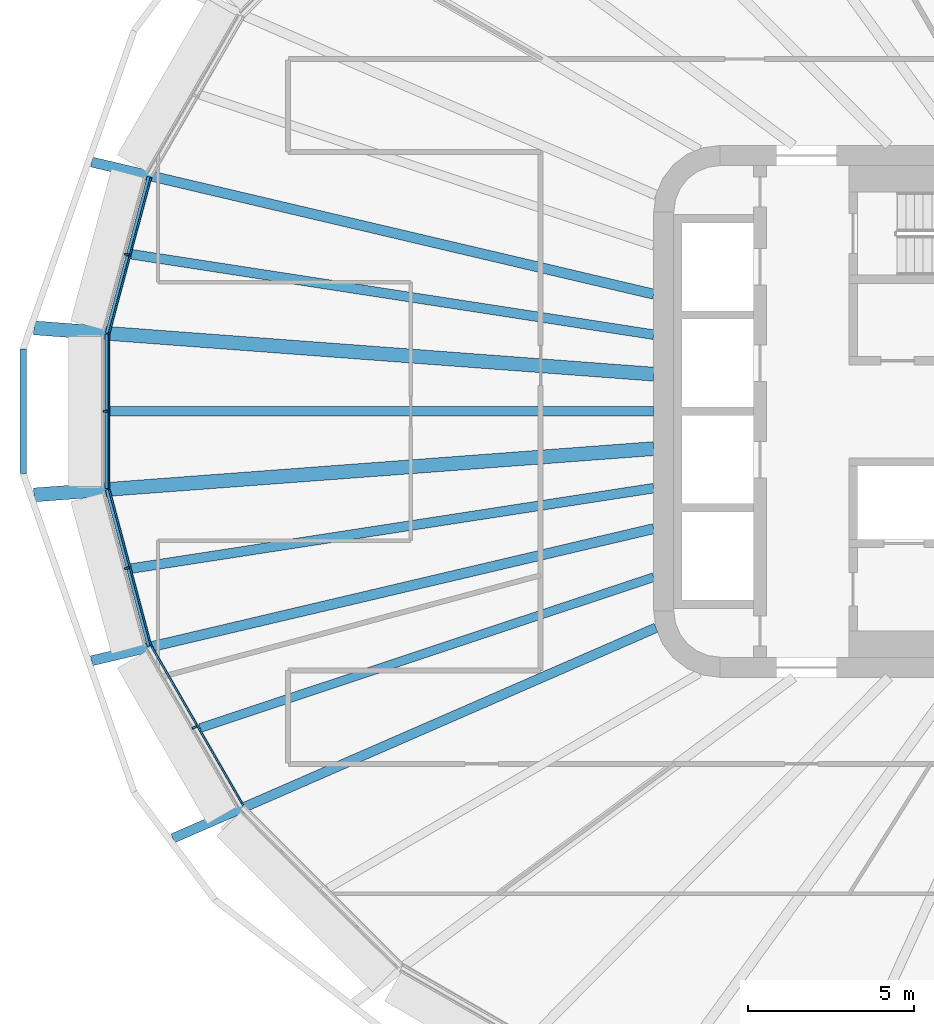
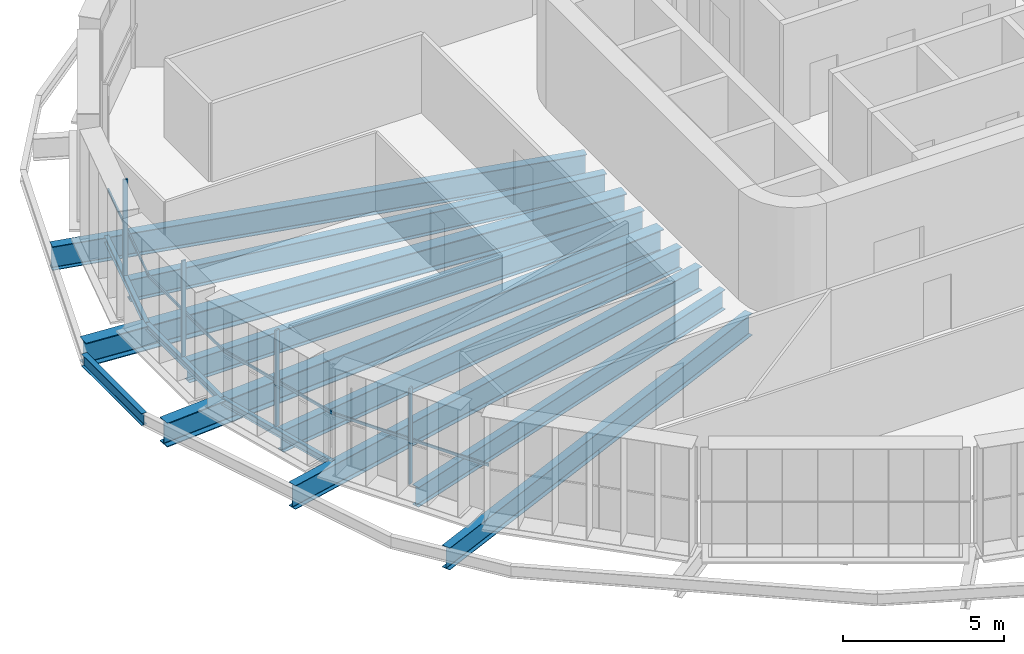
# One storey, part 3 of 25: 13 beams, 8 members, 4 elements without a shape of their own.
"""IFC4 building model written with IfcOpenShell, lengths in metres."""

from ifc_helpers import new_model, si_unit, direction, frame, origin, origin_2d, place, context, subcontext, project, spatial, rectangle, i_section, extrude, material, layer, layer_set, material_profile, profile_set, type_object, element, aggregate, save


model = new_model("IFC4")

# Units and contexts
model_context = context("Model", 3, precision=1e-05, world=origin(), true_north=direction((0.0, 1.0)))
body_context = subcontext(model_context, "Body", "Model", "MODEL_VIEW")
ifc_project = project(units=[si_unit("LENGTHUNIT", "METRE"), si_unit("AREAUNIT", "SQUARE_METRE"), si_unit("VOLUMEUNIT", "CUBIC_METRE"), si_unit("PLANEANGLEUNIT", "RADIAN"), si_unit("MASSUNIT", "GRAM", prefix="KILO")], contexts=[model_context])

# Site, building, storey
site_placement = place(None, origin())
site = spatial("IfcSite", under=ifc_project, at=site_placement, CompositionType="ELEMENT")
building_placement = place(site_placement, origin())
building = spatial("IfcBuilding", under=site, at=building_placement, Name="Sahrelin Media Tower", CompositionType="ELEMENT")
storey_placement = place(building_placement, frame((0.0, 0.0, 144.0)))
storey = spatial("IfcBuildingStorey", under=building, at=storey_placement, Name="L29", CompositionType="ELEMENT", Elevation=144.0)

# Beams
ifc_material_1 = material(Name="Steel S355", Category="steel")
ifc_material_profile_1 = material_profile(ifc_material_1, i_section(OverallWidth=0.14599609375, OverallDepth=0.25146484375, WebThickness=0.006103515625, FlangeThickness=0.008544921875, FilletRadius=0.007568359375, at=origin_2d()), Name="UB 254x146x31")
ifc_profile_set_1 = profile_set([ifc_material_profile_1], Name="Steel S355")
beam_type_1 = type_object("IfcBeamType", Name="Edge beam EB1", PredefinedType="BEAM", material=ifc_profile_set_1)
beam_1_placement = place(storey_placement, frame((-30.165771484375, -7.052001953125, -0.275634765625), z_axis=(-0.258796286999, 0.965931924017, 0.0), x_axis=(-0.965931924017, -0.258796286999, 0.0)))
element("IfcBeam", 1, at=beam_1_placement, inside=storey, type_object=beam_type_1, Name="Edge beam L29-12", PredefinedType="BEAM", context=body_context, shape_type="SweptSolid", body=[
    extrude(i_section(OverallWidth=0.14599609375, OverallDepth=0.25146484375, WebThickness=0.006103515625, FlangeThickness=0.008544921875, FilletRadius=0.007568359375, at=origin_2d()), origin(), (0.0, 0.0, 1.0), 4.864990234375),
])
beam_2_placement = place(storey_placement, frame((-31.4287109375, -2.32421875, -0.275634765625), z_axis=(0.0, 1.0, 0.0), x_axis=(-1.0, 0.0, 0.0)))
element("IfcBeam", 2, at=beam_2_placement, inside=storey, type_object=beam_type_1, Name="Edge beam L29-13", PredefinedType="BEAM", context=body_context, shape_type="SweptSolid", body=[
    extrude(i_section(OverallWidth=0.14599609375, OverallDepth=0.25146484375, WebThickness=0.006103515625, FlangeThickness=0.008544921875, FilletRadius=0.007568359375, at=origin_2d()), origin(), (0.0, 0.0, 1.0), 4.6484375),
])
beam_3_placement = place(storey_placement, frame((-31.4248046875, 2.352783203125, -0.275634765625), z_axis=(0.258796286999, 0.965931924017, 0.0), x_axis=(-0.965931924017, 0.258796286999, 0.0)))
element("IfcBeam", 3, at=beam_3_placement, inside=storey, type_object=beam_type_1, Name="Edge beam L29-14", PredefinedType="BEAM", context=body_context, shape_type="SweptSolid", body=[
    extrude(i_section(OverallWidth=0.14599609375, OverallDepth=0.25146484375, WebThickness=0.006103515625, FlangeThickness=0.008544921875, FilletRadius=0.007568359375, at=origin_2d()), origin(), (0.0, 0.0, 1.0), 4.864990234375),
])

# Curtain wall, member
ifc_material_2 = material(Name="Champagne anodised aluminium 6063-T6", Category="aluminium")
ifc_layer = layer(ifc_material_2, 0.14990234375)
ifc_layer_set = layer_set([ifc_layer], Name="Tower ribbon curtain wall")
curtain_wall_type = type_object("IfcCurtainWallType", Name="Tower ribbon curtain wall", PredefinedType="NOTDEFINED", material=ifc_layer_set)
curtain_wall_1_placement = place(storey_placement, frame((-30.940185546875, 4.7412109375, 0.0), z_axis=(0.0, 0.0, 1.0), x_axis=(1.0, 0.0, 0.0)))
curtain_wall_1 = element("IfcCurtainWall", 4, at=curtain_wall_1_placement, inside=storey, type_object=curtain_wall_type, Name="L29:CW:L29-11", PredefinedType="NOTDEFINED")
ifc_material_profile_2 = material_profile(ifc_material_2, rectangle(XDim=0.06005859375, YDim=0.14990234375, at=origin_2d()), Name="Mullion 60x150")
ifc_profile_set_2 = profile_set([ifc_material_profile_2], Name="Champagne anodised aluminium 6063-T6")
member_type_1 = type_object("IfcMemberType", Name="Mullion 60x150 CW1", PredefinedType="MULLION", material=ifc_profile_set_2)
member_1_placement = place(storey_placement, frame((-30.848388671875, 4.716552734375, 0.0), z_axis=(0.0, 0.0, 1.0), x_axis=(-0.258827474386, -0.96592356763, 0.0)))
member_1 = element("IfcMember", 5, at=member_1_placement, type_object=member_type_1, Name="L29:CWM:L29-11", PredefinedType="MULLION", context=body_context, shape_type="SweptSolid", body=[
    extrude(rectangle(XDim=0.06005859375, YDim=0.14990234375, at=origin_2d()), origin(), (0.0, 0.0, 1.0), 3.648681640625),
])

curtain_wall_2_placement = place(storey_placement, frame((-31.57861328125, 0.0, 0.0), z_axis=(0.0, 0.0, 1.0), x_axis=(1.0, 0.0, 0.0)))
curtain_wall_2 = element("IfcCurtainWall", 6, at=curtain_wall_2_placement, inside=storey, type_object=curtain_wall_type, Name="L29:CW:L29-12", PredefinedType="NOTDEFINED")
member_2_placement = place(storey_placement, frame((-31.483642578125, 0.0, 0.0), z_axis=(0.0, 0.0, 1.0), x_axis=(0.0, -1.0, 0.0)))
member_2 = element("IfcMember", 7, at=member_2_placement, type_object=member_type_1, Name="L29:CWM:L29-12", PredefinedType="MULLION", context=body_context, shape_type="SweptSolid", body=[
    extrude(rectangle(XDim=0.06005859375, YDim=0.14990234375, at=origin_2d()), origin(), (0.0, 0.0, 1.0), 3.648681640625),
])

curtain_wall_3_placement = place(storey_placement, frame((-30.940185546875, -4.7412109375, 0.0), z_axis=(0.0, 0.0, 1.0), x_axis=(1.0, 0.0, 0.0)))
curtain_wall_3 = element("IfcCurtainWall", 8, at=curtain_wall_3_placement, inside=storey, type_object=curtain_wall_type, Name="L29:CW:L29-13", PredefinedType="NOTDEFINED")
member_3_placement = place(storey_placement, frame((-30.848388671875, -4.716552734375, 0.0), z_axis=(0.0, 0.0, 1.0), x_axis=(0.258827474386, -0.96592356763, 0.0)))
member_3 = element("IfcMember", 9, at=member_3_placement, type_object=member_type_1, Name="L29:CWM:L29-13", PredefinedType="MULLION", context=body_context, shape_type="SweptSolid", body=[
    extrude(rectangle(XDim=0.06005859375, YDim=0.14990234375, at=origin_2d()), origin(), (0.0, 0.0, 1.0), 3.648681640625),
])

curtain_wall_4_placement = place(storey_placement, frame((-28.8984375, -9.5546875, 0.0), z_axis=(0.0, 0.0, 1.0), x_axis=(1.0, 0.0, 0.0)))
curtain_wall_4 = element("IfcCurtainWall", 10, at=curtain_wall_4_placement, inside=storey, type_object=curtain_wall_type, Name="L29:CW:L29-14", PredefinedType="NOTDEFINED")
member_4_placement = place(storey_placement, frame((-28.816162109375, -9.507080078125, 0.0), z_axis=(0.0, 0.0, 1.0), x_axis=(0.49999395399, -0.866028894422, 0.0)))
member_4 = element("IfcMember", 11, at=member_4_placement, type_object=member_type_1, Name="L29:CWM:L29-14", PredefinedType="MULLION", context=body_context, shape_type="SweptSolid", body=[
    extrude(rectangle(XDim=0.06005859375, YDim=0.14990234375, at=origin_2d()), origin(), (0.0, 0.0, 1.0), 3.648681640625),
])

# Beams
ifc_material_profile_3 = material_profile(ifc_material_1, i_section(OverallWidth=0.291748046875, OverallDepth=0.8349609375, WebThickness=0.013916015625, FlangeThickness=0.018798828125, FilletRadius=0.017822265625, at=origin_2d()), Name="UB 838x292x176")
ifc_profile_set_3 = profile_set([ifc_material_profile_3], Name="Steel S355")
beam_type_2 = type_object("IfcBeamType", Name="Radial primary beam PB10", PredefinedType="BEAM", material=ifc_profile_set_3)
beam_4_placement = place(storey_placement, frame((-14.93310546875, -6.509521484375, -0.5673828125), z_axis=(-0.916695386273, -0.399586747509, 0.0), x_axis=(0.399586747509, -0.916695386273, 0.0)))
element("IfcBeam", 12, at=beam_4_placement, inside=storey, type_object=beam_type_2, Name="Radial beam L29-15", PredefinedType="BEAM", context=body_context, shape_type="SweptSolid", body=[
    extrude(i_section(OverallWidth=0.291748046875, OverallDepth=0.8349609375, WebThickness=0.013916015625, FlangeThickness=0.018798828125, FilletRadius=0.017822265625, at=origin_2d()), origin(), (0.0, 0.0, 1.0), 15.85693359375),
])
ifc_material_profile_4 = material_profile(ifc_material_1, i_section(OverallWidth=0.30322265625, OverallDepth=0.903076171875, WebThickness=0.01513671875, FlangeThickness=0.020263671875, FilletRadius=0.01904296875, at=origin_2d()), Name="UB 914x305x201")
ifc_profile_set_4 = profile_set([ifc_material_profile_4], Name="Steel S355")
beam_type_3 = type_object("IfcBeamType", Name="Radial primary beam PB11", PredefinedType="BEAM", material=ifc_profile_set_4)
for number, where, z_axis, x_axis, name in (
    (13, (-15.0, 3.5263671875, -0.6015625), (-0.973460472846, 0.228855211448, 0.0), (-0.228855211448, -0.973460472846, 0.0), "Radial beam L29-11"),
    (14, (-15.0, -3.5263671875, -0.6015625), (-0.973460472846, -0.228855211448, 0.0), (0.228855211448, -0.973460472846, 0.0), "Radial beam L29-14"),
):
    element("IfcBeam", number, at=place(storey_placement, frame(where, z_axis=z_axis, x_axis=x_axis)), inside=storey, type_object=beam_type_3, Name=name, PredefinedType="BEAM", context=body_context, shape_type="SweptSolid", body=[
        extrude(i_section(OverallWidth=0.30322265625, OverallDepth=0.903076171875, WebThickness=0.01513671875, FlangeThickness=0.020263671875, FilletRadius=0.01904296875, at=origin_2d()), origin(), (0.0, 0.0, 1.0), 17.368408203125),
    ])
ifc_material_profile_5 = material_profile(ifc_material_1, i_section(OverallWidth=0.41845703125, OverallDepth=0.911865234375, WebThickness=0.019287109375, FlangeThickness=0.031982421875, FilletRadius=0.024169921875, at=origin_2d()), Name="UB 914x419x343")
ifc_profile_set_5 = profile_set([ifc_material_profile_5], Name="Steel S355")
beam_type_4 = type_object("IfcBeamType", Name="Radial primary beam PB12", PredefinedType="BEAM", material=ifc_profile_set_5)
for number, where, z_axis, x_axis, name in (
    (15, (-15.0, 1.120361328125, -0.60595703125), (-0.997223071371, 0.074472450777, 0.0), (-0.074472450777, -0.997223071371, 0.0), "Radial beam L29-12"),
    (16, (-15.0, -1.120361328125, -0.60595703125), (-0.997223071371, -0.074472450777, 0.0), (0.074472450777, -0.997223071371, 0.0), "Radial beam L29-13"),
):
    element("IfcBeam", number, at=place(storey_placement, frame(where, z_axis=z_axis, x_axis=x_axis)), inside=storey, type_object=beam_type_4, Name=name, PredefinedType="BEAM", context=body_context, shape_type="SweptSolid", body=[
        extrude(i_section(OverallWidth=0.41845703125, OverallDepth=0.911865234375, WebThickness=0.019287109375, FlangeThickness=0.031982421875, FilletRadius=0.024169921875, at=origin_2d()), origin(), (0.0, 0.0, 1.0), 18.696044921875),
    ])
ifc_material_profile_6 = material_profile(ifc_material_1, i_section(OverallWidth=0.291748046875, OverallDepth=0.8349609375, WebThickness=0.013916015625, FlangeThickness=0.018798828125, FilletRadius=0.017822265625, at=origin_2d()), Name="UB 838x292x176")
ifc_profile_set_6 = profile_set([ifc_material_profile_6], Name="Steel S355")
beam_type_5 = type_object("IfcBeamType", Name="Radial secondary beam SB10", PredefinedType="BEAM", material=ifc_profile_set_6)
beam_5_placement = place(storey_placement, frame((-15.0, 2.308837890625, -0.5673828125), z_axis=(-0.988359089309, 0.152139115876, 0.0), x_axis=(-0.152139115876, -0.988359089309, 0.0)))
element("IfcBeam", 17, at=beam_5_placement, inside=storey, type_object=beam_type_5, Name="Secondary beam L29-11", PredefinedType="BEAM", context=body_context, shape_type="SweptSolid", body=[
    extrude(i_section(OverallWidth=0.291748046875, OverallDepth=0.8349609375, WebThickness=0.013916015625, FlangeThickness=0.018798828125, FilletRadius=0.017822265625, at=origin_2d()), origin(), (0.0, 0.0, 1.0), 15.89794921875),
])
beam_6_placement = place(storey_placement, frame((-15.0, 0.0, -0.5673828125), z_axis=(-1.0, 0.0, 0.0), x_axis=(0.0, -1.0, 0.0)))
element("IfcBeam", 18, at=beam_6_placement, inside=storey, type_object=beam_type_5, Name="Secondary beam L29-12", PredefinedType="BEAM", context=body_context, shape_type="SweptSolid", body=[
    extrude(i_section(OverallWidth=0.291748046875, OverallDepth=0.8349609375, WebThickness=0.013916015625, FlangeThickness=0.018798828125, FilletRadius=0.017822265625, at=origin_2d()), origin(), (0.0, 0.0, 1.0), 16.355712890625),
])
beam_7_placement = place(storey_placement, frame((-15.0, -2.308837890625, -0.5673828125), z_axis=(-0.988359089309, -0.152139115876, 0.0), x_axis=(0.152139115876, -0.988359089309, 0.0)))
element("IfcBeam", 19, at=beam_7_placement, inside=storey, type_object=beam_type_5, Name="Secondary beam L29-13", PredefinedType="BEAM", context=body_context, shape_type="SweptSolid", body=[
    extrude(i_section(OverallWidth=0.291748046875, OverallDepth=0.8349609375, WebThickness=0.013916015625, FlangeThickness=0.018798828125, FilletRadius=0.017822265625, at=origin_2d()), origin(), (0.0, 0.0, 1.0), 15.89794921875),
])
ifc_material_profile_7 = material_profile(ifc_material_1, i_section(OverallWidth=0.26513671875, OverallDepth=0.75390625, WebThickness=0.0126953125, FlangeThickness=0.017578125, FilletRadius=0.0166015625, at=origin_2d()), Name="UB 762x267x147")
ifc_profile_set_7 = profile_set([ifc_material_profile_7], Name="Steel S355")
beam_type_6 = type_object("IfcBeamType", Name="Radial secondary beam SB9", PredefinedType="BEAM", material=ifc_profile_set_7)
beam_8_placement = place(storey_placement, frame((-15.0, -4.9873046875, -0.527099609375), z_axis=(-0.948922383089, -0.315509605039, 0.0), x_axis=(0.315509605039, -0.948922383089, 0.0)))
element("IfcBeam", 20, at=beam_8_placement, inside=storey, type_object=beam_type_6, Name="Secondary beam L29-14", PredefinedType="BEAM", context=body_context, shape_type="SweptSolid", body=[
    extrude(i_section(OverallWidth=0.26513671875, OverallDepth=0.75390625, WebThickness=0.0126953125, FlangeThickness=0.017578125, FilletRadius=0.0166015625, at=origin_2d()), origin(), (0.0, 0.0, 1.0), 14.3818359375),
])
ifc_material_profile_8 = material_profile(ifc_material_1, i_section(OverallWidth=0.1904296875, OverallDepth=0.45703125, WebThickness=0.009033203125, FlangeThickness=0.014404296875, FilletRadius=0.01025390625, at=origin_2d()), Name="UB 457x191x74")
ifc_profile_set_8 = profile_set([ifc_material_profile_8], Name="Steel S355")
beam_type_7 = type_object("IfcBeamType", Name="Tie chord TC5", PredefinedType="BEAM", material=ifc_profile_set_8)
beam_9_placement = place(storey_placement, frame((-33.968505859375, 1.8701171875, -0.37841796875), z_axis=(0.0, -1.0, 0.0), x_axis=(1.0, 0.0, 0.0)))
element("IfcBeam", 21, at=beam_9_placement, inside=storey, type_object=beam_type_7, Name="Tie chord L29-12", PredefinedType="BEAM", context=body_context, shape_type="SweptSolid", body=[
    extrude(i_section(OverallWidth=0.1904296875, OverallDepth=0.45703125, WebThickness=0.009033203125, FlangeThickness=0.014404296875, FilletRadius=0.01025390625, at=origin_2d()), origin(), (0.0, 0.0, 1.0), 3.740234375),
])

# Member
ifc_material_profile_9 = material_profile(ifc_material_2, rectangle(XDim=0.050048828125, YDim=0.10009765625, at=origin_2d()), Name="Transom 50x100")
ifc_profile_set_9 = profile_set([ifc_material_profile_9], Name="Champagne anodised aluminium 6063-T6")
member_type_2 = type_object("IfcMemberType", Name="Transom 50x100 CW1", PredefinedType="USERDEFINED", material=ifc_profile_set_9)
member_5_placement = place(storey_placement, frame((-30.12646484375, 7.02490234375, 1.60009765625), z_axis=(-0.258819402949, -0.965925730404, 0.0), x_axis=(0.965925730404, -0.258819402949, 0.0)))
member_5 = element("IfcMember", 22, at=member_5_placement, type_object=member_type_2, Name="L29:CWT:L29-11", ObjectType="TRANSOM", PredefinedType="USERDEFINED", context=body_context, shape_type="SweptSolid", body=[
    extrude(rectangle(XDim=0.050048828125, YDim=0.10009765625, at=origin_2d()), origin(), (0.0, 0.0, 1.0), 4.83349609375),
])

aggregate(curtain_wall_1, [member_1, member_5])

member_6_placement = place(storey_placement, frame((-31.3837890625, 2.30859375, 1.60009765625), z_axis=(0.0, -1.0, 0.0), x_axis=(1.0, 0.0, 0.0)))
member_6 = element("IfcMember", 23, at=member_6_placement, type_object=member_type_2, Name="L29:CWT:L29-12", ObjectType="TRANSOM", PredefinedType="USERDEFINED", context=body_context, shape_type="SweptSolid", body=[
    extrude(rectangle(XDim=0.050048828125, YDim=0.10009765625, at=origin_2d()), origin(), (0.0, 0.0, 1.0), 4.6171875),
])

aggregate(curtain_wall_2, [member_2, member_6])

member_7_placement = place(storey_placement, frame((-31.37744140625, -2.356201171875, 1.60009765625), z_axis=(0.258819402949, -0.965925730404, 0.0), x_axis=(0.965925730404, 0.258819402949, 0.0)))
member_7 = element("IfcMember", 24, at=member_7_placement, type_object=member_type_2, Name="L29:CWT:L29-13", ObjectType="TRANSOM", PredefinedType="USERDEFINED", context=body_context, shape_type="SweptSolid", body=[
    extrude(rectangle(XDim=0.050048828125, YDim=0.10009765625, at=origin_2d()), origin(), (0.0, 0.0, 1.0), 4.83349609375),
])

aggregate(curtain_wall_3, [member_3, member_7])

member_8_placement = place(storey_placement, frame((-30.10791015625, -7.069580078125, 1.60009765625), z_axis=(0.500006091826, -0.866021886639, 0.0), x_axis=(0.866021886639, 0.500006091826, 0.0)))
member_8 = element("IfcMember", 25, at=member_8_placement, type_object=member_type_2, Name="L29:CWT:L29-14", ObjectType="TRANSOM", PredefinedType="USERDEFINED", context=body_context, shape_type="SweptSolid", body=[
    extrude(rectangle(XDim=0.050048828125, YDim=0.10009765625, at=origin_2d()), origin(), (0.0, 0.0, 1.0), 5.513671875),
])

aggregate(curtain_wall_4, [member_4, member_8])

save(model, "model.ifc")
